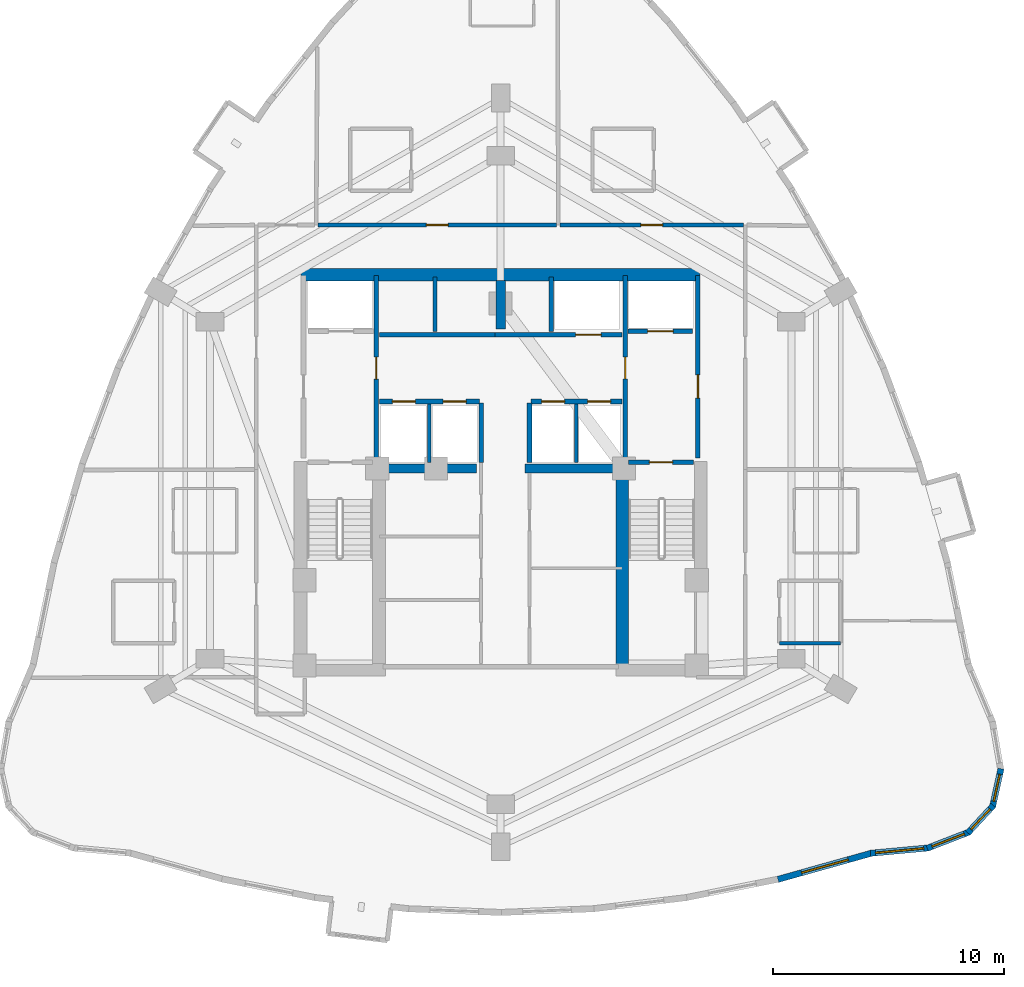
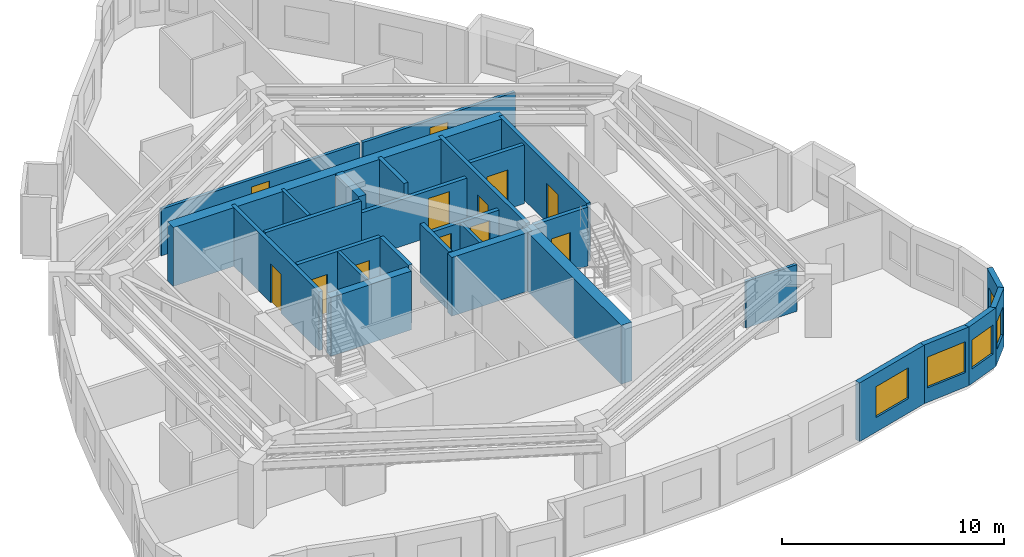
# One storey, part 5 of 9: 28 walls, 12 doors, 5 windows, 17 openings.
"""IFC4 building model written with IfcOpenShell, lengths in metres."""

from ifc_helpers import new_model, si_unit, direction, frame, frame_2d, origin, place, context, subcontext, project, spatial, rectangle, extrude, material, layer, layer_set, type_object, element, fill, save


model = new_model("IFC4")

# Units and contexts
model_context = context("Model", 3, precision=1e-05, world=origin(), true_north=direction((0.0, 1.0)))
body_context = subcontext(model_context, "Body", "Model", "MODEL_VIEW")
ifc_project = project(units=[si_unit("LENGTHUNIT", "METRE"), si_unit("AREAUNIT", "SQUARE_METRE"), si_unit("VOLUMEUNIT", "CUBIC_METRE"), si_unit("PLANEANGLEUNIT", "RADIAN"), si_unit("MASSUNIT", "GRAM", prefix="KILO")], contexts=[model_context])

# Site, building, storey
site_placement = place(None, origin())
site = spatial("IfcSite", under=ifc_project, at=site_placement, CompositionType="ELEMENT")
building_placement = place(site_placement, origin())
building = spatial("IfcBuilding", under=site, at=building_placement, Name="Miruveldt Soraemaru", CompositionType="ELEMENT")
storey_placement = place(building_placement, frame((0.0, 0.0, 138.89990234375)))
storey = spatial("IfcBuildingStorey", under=building, at=storey_placement, Name="L38", CompositionType="ELEMENT", Elevation=138.89990234375)

# Walls
ifc_material_1 = material(Name="Concrete C70/85 (70 MPa)", Category="concrete")
ifc_layer_1 = layer(ifc_material_1, 0.5, Name="Concrete C70/85 (70 MPa)", Category="concrete")
ifc_layer_set_1 = layer_set([ifc_layer_1], Name="Concrete C70/85 (70 MPa)")
wall_type_1 = type_object("IfcWallType", Name="WALL-BW-500", PredefinedType="SHEAR", material=ifc_layer_set_1)
wall_1_placement = place(storey_placement, frame((44.0, 50.10009765625, 0.0), z_axis=(0.0, 0.0, 1.0), x_axis=(0.0, 1.0, 0.0)))
element("IfcWall", 1, at=wall_1_placement, inside=storey, type_object=wall_type_1, Name="L38 Core Buttress Shear Wall BN", PredefinedType="SHEAR", context=body_context, shape_type="SweptSolid", body=[
    extrude(rectangle(XDim=2.099853515625, YDim=0.39990234375, at=frame_2d((1.0498046875, 0.0))), origin(), (0.0, 0.0, 1.0), 3.235107421875),
])
for number, where, z_axis, x_axis, name in (
    (2, (38.75, 44.050048828125, 0.0), (0.0, 0.0, 1.0), (1.0, 0.0, 0.0), "L38 Core Buttress Shear Wall BW"),
    (3, (45.050048828125, 44.050048828125, 0.0), (0.0, 0.0, 1.0), (1.0, 0.0, 0.0), "L38 Core Buttress Shear Wall BE"),
):
    element("IfcWall", number, at=place(storey_placement, frame(where, z_axis=z_axis, x_axis=x_axis)), inside=storey, type_object=wall_type_1, Name=name, PredefinedType="SHEAR", context=body_context, shape_type="SweptSolid", body=[
        extrude(rectangle(XDim=4.199951171875, YDim=0.39990234375, at=frame_2d((2.10009765625, 0.0))), origin(), (0.0, 0.0, 1.0), 3.235107421875),
    ])
ifc_layer_2 = layer(ifc_material_1, 0.550048828125, Name="Concrete C70/85 (70 MPa)", Category="concrete")
ifc_layer_set_2 = layer_set([ifc_layer_2], Name="Concrete C70/85 (70 MPa)")
wall_type_2 = type_object("IfcWallType", Name="WALL-CW-550", PredefinedType="SHEAR", material=ifc_layer_set_2)
wall_2_placement = place(storey_placement, frame((35.35009765625, 52.449951171875, 0.0), z_axis=(0.0, 0.0, 1.0), x_axis=(1.0, 0.0, 0.0)))
element("IfcWall", 4, at=wall_2_placement, inside=storey, type_object=wall_type_2, Name="L38 Central Core Shear Wall N", PredefinedType="SHEAR", context=body_context, shape_type="SweptSolid", body=[
    extrude(rectangle(XDim=17.2998046875, YDim=0.550048828125, at=frame_2d((8.64990234375, 0.0))), origin(), (0.0, 0.0, 1.0), 3.235107421875),
])
wall_3_placement = place(storey_placement, frame((49.27490234375, 35.39990234375, 0.0), z_axis=(0.0, 0.0, 1.0), x_axis=(0.0, 1.0, 0.0)))
element("IfcWall", 5, at=wall_3_placement, inside=storey, type_object=wall_type_2, Name="L38 Central Core Shear Wall SE-INT", PredefinedType="SHEAR", context=body_context, shape_type="SweptSolid", body=[
    extrude(rectangle(XDim=8.9501953125, YDim=0.550048828125, at=frame_2d((4.47509765625, 0.0))), origin(), (0.0, 0.0, 1.0), 3.235107421875),
])

# Wall, opening, window
ifc_material_2 = material(Name="Precast concrete C45/55 (45 MPa)", Category="concrete")
ifc_layer_3 = layer(ifc_material_2, 0.27001953125, Name="Precast concrete C45/55 (45 MPa)", Category="concrete")
ifc_layer_set_3 = layer_set([ifc_layer_3], Name="Precast concrete C45/55 (45 MPa)")
wall_type_3 = type_object("IfcWallType", Name="WALL-EXT-PC270", PredefinedType="SOLIDWALL", material=ifc_layer_set_3)
wall_4_placement = place(storey_placement, frame((56.01611328125, 26.23388671875, 0.0), z_axis=(0.0, 0.0, 1.0), x_axis=(0.962976574029, 0.269585084659, 0.0)))
wall_4 = element("IfcWall", 6, at=wall_4_placement, inside=storey, type_object=wall_type_3, Name="L38 Precast Concrete Facade Wall 28", PredefinedType="SOLIDWALL", context=body_context, shape_type="SweptSolid", body=[
    extrude(rectangle(XDim=4.240966796875, YDim=0.27001953125, at=frame_2d((2.12060546875, 0.0))), origin(), (0.0, 0.0, 1.0), 3.235107421875),
])
opening_1_placement = place(wall_4_placement, frame((1.070068359375, 0.0, 0.800048828125)))
opening_1 = element("IfcOpeningElement", 7, at=opening_1_placement, cuts=wall_4, Name="Opening WN-1", PredefinedType="OPENING", context=body_context, shape_type="SweptSolid", body=[
    extrude(rectangle(XDim=2.10009765625, YDim=1.699951171875, at=frame_2d((1.050048828125, 0.85009765625))), frame((0.0, 0.14501953125, 0.0), z_axis=(0.0, -1.0, 0.0), x_axis=(1.0, 0.0, 0.0)), (0.0, 0.0, 1.0), 0.2900390625),
])
ifc_material_3 = material(Name="Triple low-e insulated glazing", Category="glass")
window_type_1 = type_object("IfcWindowType", Name="WIN-PUNCH-2100x1700", PartitioningType="SINGLE_PANEL", PredefinedType="WINDOW", material=ifc_material_3)
window_1_placement = place(opening_1_placement, origin())
window_1 = element("IfcWindow", 8, at=window_1_placement, inside=storey, type_object=window_type_1, Name="L38 Punched Triple-Glazed Window 28.1", OverallHeight=1.699951171875, OverallWidth=2.10009765625, PartitioningType="SINGLE_PANEL", PredefinedType="WINDOW", context=body_context, shape_type="SweptSolid", body=[
    extrude(rectangle(XDim=2.10009765625, YDim=1.699951171875, at=frame_2d((1.050048828125, 0.85009765625))), frame((0.0, 0.030029296875, 0.0), z_axis=(0.0, -1.0, 0.0), x_axis=(1.0, 0.0, 0.0)), (0.0, 0.0, 1.0), 0.06005859375),
])
fill(opening_1, window_1)

wall_5_placement = place(storey_placement, frame((60.031494140625, 27.364501953125, 0.0), z_axis=(0.0, 0.0, 1.0), x_axis=(0.995754739811, 0.092046173976, 0.0)))
wall_5 = element("IfcWall", 9, at=wall_5_placement, inside=storey, type_object=wall_type_3, Name="L38 Precast Concrete Facade Wall 29", PredefinedType="SOLIDWALL", context=body_context, shape_type="SweptSolid", body=[
    extrude(rectangle(XDim=2.53564453125, YDim=0.27001953125, at=frame_2d((1.267822265625, 0.0))), origin(), (0.0, 0.0, 1.0), 3.235107421875),
])
opening_2_placement = place(wall_5_placement, frame((0.218017578125, 0.0, 0.800048828125)))
opening_2 = element("IfcOpeningElement", 10, at=opening_2_placement, cuts=wall_5, Name="Opening WN-1", PredefinedType="OPENING", context=body_context, shape_type="SweptSolid", body=[
    extrude(rectangle(XDim=2.10009765625, YDim=1.699951171875, at=frame_2d((1.050048828125, 0.85009765625))), frame((0.0, 0.14501953125, 0.0), z_axis=(0.0, -1.0, 0.0), x_axis=(1.0, 0.0, 0.0)), (0.0, 0.0, 1.0), 0.2900390625),
])
window_2_placement = place(opening_2_placement, origin())
window_2 = element("IfcWindow", 11, at=window_2_placement, inside=storey, type_object=window_type_1, Name="L38 Punched Triple-Glazed Window 29.1", OverallHeight=1.699951171875, OverallWidth=2.10009765625, PartitioningType="SINGLE_PANEL", PredefinedType="WINDOW", context=body_context, shape_type="SweptSolid", body=[
    extrude(rectangle(XDim=2.10009765625, YDim=1.699951171875, at=frame_2d((1.050048828125, 0.85009765625))), frame((0.0, 0.030029296875, 0.0), z_axis=(0.0, -1.0, 0.0), x_axis=(1.0, 0.0, 0.0)), (0.0, 0.0, 1.0), 0.06005859375),
])
fill(opening_2, window_2)

wall_6_placement = place(storey_placement, frame((62.489013671875, 27.581787109375, 0.0), z_axis=(0.0, 0.0, 1.0), x_axis=(0.932267447774, 0.361769824364, 0.0)))
wall_6 = element("IfcWall", 12, at=wall_6_placement, inside=storey, type_object=wall_type_3, Name="L38 Precast Concrete Facade Wall 30", PredefinedType="SOLIDWALL", context=body_context, shape_type="SweptSolid", body=[
    extrude(rectangle(XDim=1.950927734375, YDim=0.27001953125, at=frame_2d((0.9755859375, 0.0))), origin(), (0.0, 0.0, 1.0), 3.235107421875),
])
opening_3_placement = place(wall_6_placement, frame((0.22509765625, 0.0, 0.800048828125)))
opening_3 = element("IfcOpeningElement", 13, at=opening_3_placement, cuts=wall_6, Name="Opening WN-3", PredefinedType="OPENING", context=body_context, shape_type="SweptSolid", body=[
    extrude(rectangle(XDim=1.5, YDim=1.60009765625, at=frame_2d((0.75, 0.800048828125))), frame((0.0, 0.14501953125, 0.0), z_axis=(0.0, -1.0, 0.0), x_axis=(1.0, 0.0, 0.0)), (0.0, 0.0, 1.0), 0.2900390625),
])
window_type_2 = type_object("IfcWindowType", Name="WIN-PUNCH-1500x1600", PartitioningType="SINGLE_PANEL", PredefinedType="WINDOW", material=ifc_material_3)
window_3_placement = place(opening_3_placement, origin())
window_3 = element("IfcWindow", 14, at=window_3_placement, inside=storey, type_object=window_type_2, Name="L38 Punched Triple-Glazed Window 30.1", OverallHeight=1.60009765625, OverallWidth=1.5, PartitioningType="SINGLE_PANEL", PredefinedType="WINDOW", context=body_context, shape_type="SweptSolid", body=[
    extrude(rectangle(XDim=1.5, YDim=1.60009765625, at=frame_2d((0.75, 0.800048828125))), frame((0.0, 0.030029296875, 0.0), z_axis=(0.0, -1.0, 0.0), x_axis=(1.0, 0.0, 0.0)), (0.0, 0.0, 1.0), 0.06005859375),
])
fill(opening_3, window_3)

wall_7_placement = place(storey_placement, frame((64.25146484375, 28.249267578125, 0.0), z_axis=(0.0, 0.0, 1.0), x_axis=(0.680115173662, 0.733105279312, 0.0)))
wall_7 = element("IfcWall", 15, at=wall_7_placement, inside=storey, type_object=wall_type_3, Name="L38 Precast Concrete Facade Wall 31", PredefinedType="SOLIDWALL", context=body_context, shape_type="SweptSolid", body=[
    extrude(rectangle(XDim=1.6171875, YDim=0.27001953125, at=frame_2d((0.80859375, 0.0))), origin(), (0.0, 0.0, 1.0), 3.235107421875),
])
opening_4_placement = place(wall_7_placement, frame((0.208984375, 0.0, 0.780029296875)))
opening_4 = element("IfcOpeningElement", 16, at=opening_4_placement, cuts=wall_7, Name="Opening WN-4", PredefinedType="OPENING", context=body_context, shape_type="SweptSolid", body=[
    extrude(rectangle(XDim=1.199951171875, YDim=1.550048828125, at=frame_2d((0.60009765625, 0.77490234375))), frame((0.0, 0.14501953125, 0.0), z_axis=(0.0, -1.0, 0.0), x_axis=(1.0, 0.0, 0.0)), (0.0, 0.0, 1.0), 0.2900390625),
])
window_type_3 = type_object("IfcWindowType", Name="WIN-PUNCH-1200x1550", PartitioningType="SINGLE_PANEL", PredefinedType="WINDOW", material=ifc_material_3)
window_4_placement = place(opening_4_placement, origin())
window_4 = element("IfcWindow", 17, at=window_4_placement, inside=storey, type_object=window_type_3, Name="L38 Punched Triple-Glazed Window 31.1", OverallHeight=1.550048828125, OverallWidth=1.199951171875, PartitioningType="SINGLE_PANEL", PredefinedType="WINDOW", context=body_context, shape_type="SweptSolid", body=[
    extrude(rectangle(XDim=1.199951171875, YDim=1.550048828125, at=frame_2d((0.60009765625, 0.77490234375))), frame((0.0, 0.030029296875, 0.0), z_axis=(0.0, -1.0, 0.0), x_axis=(1.0, 0.0, 0.0)), (0.0, 0.0, 1.0), 0.06005859375),
])
fill(opening_4, window_4)

wall_8_placement = place(storey_placement, frame((65.31982421875, 29.374755859375, 0.0), z_axis=(0.0, 0.0, 1.0), x_axis=(0.215649887065, 0.976470750309, 0.0)))
wall_8 = element("IfcWall", 18, at=wall_8_placement, inside=storey, type_object=wall_type_3, Name="L38 Precast Concrete Facade Wall 32", PredefinedType="SOLIDWALL", context=body_context, shape_type="SweptSolid", body=[
    extrude(rectangle(XDim=1.69580078125, YDim=0.27001953125, at=frame_2d((0.847900390625, 0.0))), origin(), (0.0, 0.0, 1.0), 3.235107421875),
])
opening_5_placement = place(wall_8_placement, frame((0.248046875, 0.0, 0.780029296875)))
opening_5 = element("IfcOpeningElement", 19, at=opening_5_placement, cuts=wall_8, Name="Opening WN-4", PredefinedType="OPENING", context=body_context, shape_type="SweptSolid", body=[
    extrude(rectangle(XDim=1.199951171875, YDim=1.550048828125, at=frame_2d((0.60009765625, 0.77490234375))), frame((0.0, 0.14501953125, 0.0), z_axis=(0.0, -1.0, 0.0), x_axis=(1.0, 0.0, 0.0)), (0.0, 0.0, 1.0), 0.2900390625),
])
window_5_placement = place(opening_5_placement, origin())
window_5 = element("IfcWindow", 20, at=window_5_placement, inside=storey, type_object=window_type_3, Name="L38 Punched Triple-Glazed Window 32.1", OverallHeight=1.550048828125, OverallWidth=1.199951171875, PartitioningType="SINGLE_PANEL", PredefinedType="WINDOW", context=body_context, shape_type="SweptSolid", body=[
    extrude(rectangle(XDim=1.199951171875, YDim=1.550048828125, at=frame_2d((0.60009765625, 0.77490234375))), frame((0.0, 0.030029296875, 0.0), z_axis=(0.0, -1.0, 0.0), x_axis=(1.0, 0.0, 0.0)), (0.0, 0.0, 1.0), 0.06005859375),
])
fill(opening_5, window_5)

# Wall
ifc_material_4 = material(Name="Gypsum plasterboard lining", Category="gypsum")
ifc_layer_4 = layer(ifc_material_4, 0.14990234375, Name="Gypsum plasterboard lining", Category="gypsum")
ifc_layer_set_4 = layer_set([ifc_layer_4], Name="Gypsum plasterboard lining")
wall_type_4 = type_object("IfcWallType", Name="WALL-INT-PLUMB", PredefinedType="PLUMBINGWALL", material=ifc_layer_set_4)
wall_9_placement = place(storey_placement, frame((56.080078125, 36.47998046875, 0.0), z_axis=(0.0, 0.0, 1.0), x_axis=(1.0, 0.0, 0.0)))
element("IfcWall", 21, at=wall_9_placement, inside=storey, type_object=wall_type_4, Name="L38 Partition Wall 43", PredefinedType="PLUMBINGWALL", context=body_context, shape_type="SweptSolid", body=[
    extrude(rectangle(XDim=2.64990234375, YDim=0.14990234375, at=frame_2d((1.324951171875, 0.0))), origin(), (0.0, 0.0, 1.0), 2.572998046875),
])

# Wall, opening, door
ifc_material_5 = material(Name="Concrete C40/50 (40 MPa)", Category="concrete")
ifc_layer_5 = layer(ifc_material_5, 0.159912109375, Name="Concrete C40/50 (40 MPa)", Category="concrete")
ifc_layer_set_5 = layer_set([ifc_layer_5], Name="Concrete C40/50 (40 MPa)")
wall_type_5 = type_object("IfcWallType", Name="WALL-INT-RC160", PredefinedType="SOLIDWALL", material=ifc_layer_set_5)
wall_10_placement = place(storey_placement, frame((46.419921875, 54.60009765625, 0.0), z_axis=(0.0, 0.0, 1.0), x_axis=(-1.0, 0.0, 0.0)))
wall_10 = element("IfcWall", 22, at=wall_10_placement, inside=storey, type_object=wall_type_5, Name="L38 Partition Wall 2", PredefinedType="SOLIDWALL", context=body_context, shape_type="SweptSolid", body=[
    extrude(rectangle(XDim=10.33984375, YDim=0.159912109375, at=frame_2d((5.169921875, 0.0))), origin(), (0.0, 0.0, 1.0), 2.572998046875),
])
opening_6_placement = place(wall_10_placement, frame((4.695068359375, 0.0, 0.0)))
opening_6 = element("IfcOpeningElement", 23, at=opening_6_placement, cuts=wall_10, Name="Opening FD2", PredefinedType="OPENING", context=body_context, shape_type="SweptSolid", body=[
    extrude(rectangle(XDim=0.949951171875, YDim=2.14990234375, at=frame_2d((0.47509765625, 1.074951171875))), frame((0.0, 0.08984375, 0.0), z_axis=(0.0, -1.0, 0.0), x_axis=(1.0, 0.0, 0.0)), (0.0, 0.0, 1.0), 0.179931640625),
])
ifc_material_6 = material(Name="Anodised aluminium EN AW-6063 T6", Category="aluminium")
door_type_1 = type_object("IfcDoorType", Name="DOOR-FD2-950", OperationType="NOTDEFINED", PredefinedType="DOOR", material=ifc_material_6)
door_1_placement = place(opening_6_placement, origin())
door_1 = element("IfcDoor", 24, at=door_1_placement, inside=storey, type_object=door_type_1, Name="L38 Unit CL02 Entrance Fire Door", OperationType="SINGLE_SWING_RIGHT", OverallHeight=2.14990234375, OverallWidth=0.949951171875, PredefinedType="DOOR", context=body_context, shape_type="SweptSolid", body=[
    extrude(rectangle(XDim=0.949951171875, YDim=2.14990234375, at=frame_2d((0.47509765625, 1.074951171875))), frame((0.0, 0.02490234375, 0.0), z_axis=(0.0, -1.0, 0.0), x_axis=(1.0, 0.0, 0.0)), (0.0, 0.0, 1.0), 0.050048828125),
])
fill(opening_6, door_1)

wall_11_placement = place(storey_placement, frame((54.52001953125, 54.60009765625, 0.0), z_axis=(0.0, 0.0, 1.0), x_axis=(-1.0, 0.0, 0.0)))
wall_11 = element("IfcWall", 25, at=wall_11_placement, inside=storey, type_object=wall_type_5, Name="L38 Partition Wall 3", PredefinedType="SOLIDWALL", context=body_context, shape_type="SweptSolid", body=[
    extrude(rectangle(XDim=7.93994140625, YDim=0.159912109375, at=frame_2d((3.969970703125, 0.0))), origin(), (0.0, 0.0, 1.0), 2.572998046875),
])
opening_7_placement = place(wall_11_placement, frame((3.4951171875, 0.0, 0.0)))
opening_7 = element("IfcOpeningElement", 26, at=opening_7_placement, cuts=wall_11, Name="Opening FD2", PredefinedType="OPENING", context=body_context, shape_type="SweptSolid", body=[
    extrude(rectangle(XDim=0.949951171875, YDim=2.14990234375, at=frame_2d((0.47509765625, 1.074951171875))), frame((0.0, 0.08984375, 0.0), z_axis=(0.0, -1.0, 0.0), x_axis=(1.0, 0.0, 0.0)), (0.0, 0.0, 1.0), 0.179931640625),
])
door_2_placement = place(opening_7_placement, origin())
door_2 = element("IfcDoor", 27, at=door_2_placement, inside=storey, type_object=door_type_1, Name="L38 Unit CL03 Entrance Fire Door", OperationType="SINGLE_SWING_LEFT", OverallHeight=2.14990234375, OverallWidth=0.949951171875, PredefinedType="DOOR", context=body_context, shape_type="SweptSolid", body=[
    extrude(rectangle(XDim=0.949951171875, YDim=2.14990234375, at=frame_2d((0.47509765625, 1.074951171875))), frame((0.0, 0.02490234375, 0.0), z_axis=(0.0, -1.0, 0.0), x_axis=(1.0, 0.0, 0.0)), (0.0, 0.0, 1.0), 0.050048828125),
])
fill(opening_7, door_2)

# Walls
wall_12_placement = place(storey_placement, frame((40.89990234375, 44.300048828125, 0.0), z_axis=(0.0, 0.0, 1.0), x_axis=(0.0, 1.0, 0.0)))
element("IfcWall", 28, at=wall_12_placement, inside=storey, type_object=wall_type_5, Name="L38 Core Compartment Wall PLM-DW", PredefinedType="SOLIDWALL", context=body_context, shape_type="SweptSolid", body=[
    extrude(rectangle(XDim=2.550048828125, YDim=0.159912109375, at=frame_2d((1.27490234375, 0.0))), origin(), (0.0, 0.0, 1.0), 3.235107421875),
])
wall_13_placement = place(storey_placement, frame((47.280029296875, 44.300048828125, 0.0), z_axis=(0.0, 0.0, 1.0), x_axis=(0.0, 1.0, 0.0)))
element("IfcWall", 29, at=wall_13_placement, inside=storey, type_object=wall_type_5, Name="L38 Core Compartment Wall PLM-DE", PredefinedType="SOLIDWALL", context=body_context, shape_type="SweptSolid", body=[
    extrude(rectangle(XDim=2.550048828125, YDim=0.159912109375, at=frame_2d((1.27490234375, 0.0))), origin(), (0.0, 0.0, 1.0), 2.572998046875),
])
wall_14_placement = place(storey_placement, frame((41.14990234375, 49.97998046875, 0.0), z_axis=(0.0, 0.0, 1.0), x_axis=(0.0, 1.0, 0.0)))
element("IfcWall", 30, at=wall_14_placement, inside=storey, type_object=wall_type_5, Name="L38 Core Compartment Wall PLH-DIV1", PredefinedType="SOLIDWALL", context=body_context, shape_type="SweptSolid", body=[
    extrude(rectangle(XDim=2.3701171875, YDim=0.159912109375, at=frame_2d((1.18505859375, 0.0))), origin(), (0.0, 0.0, 1.0), 3.235107421875),
])

# Wall, opening, door
ifc_layer_6 = layer(ifc_material_5, 0.199951171875, Name="Concrete C40/50 (40 MPa)", Category="concrete")
ifc_layer_set_6 = layer_set([ifc_layer_6], Name="Concrete C40/50 (40 MPa)")
wall_type_6 = type_object("IfcWallType", Name="WALL-INT-RC200", PredefinedType="SOLIDWALL", material=ifc_layer_set_6)
wall_15_placement = place(storey_placement, frame((52.550048828125, 44.5, 0.0), z_axis=(0.0, 0.0, 1.0), x_axis=(0.0, 1.0, 0.0)))
wall_15 = element("IfcWall", 31, at=wall_15_placement, inside=storey, type_object=wall_type_6, Name="L38 Core Compartment Wall FFE-OUT", PredefinedType="SOLIDWALL", context=body_context, shape_type="SweptSolid", body=[
    extrude(rectangle(XDim=7.919921875, YDim=0.199951171875, at=frame_2d((3.9599609375, 0.0))), origin(), (0.0, 0.0, 1.0), 3.235107421875),
])
opening_8_placement = place(wall_15_placement, frame((2.60009765625, 0.0, 0.0)))
opening_8 = element("IfcOpeningElement", 32, at=opening_8_placement, cuts=wall_15, Name="Opening FD1", PredefinedType="OPENING", context=body_context, shape_type="SweptSolid", body=[
    extrude(rectangle(XDim=1.0, YDim=2.14990234375, at=frame_2d((0.5, 1.074951171875))), frame((0.0, 0.10986328125, 0.0), z_axis=(0.0, -1.0, 0.0), x_axis=(1.0, 0.0, 0.0)), (0.0, 0.0, 1.0), 0.219970703125),
])
door_type_2 = type_object("IfcDoorType", Name="DOOR-FD1-1000", OperationType="NOTDEFINED", PredefinedType="DOOR", material=ifc_material_6)
door_3_placement = place(opening_8_placement, frame((1.0, 0.0, 0.0), z_axis=(0.0, 0.0, 1.0), x_axis=(-1.0, 0.0, 0.0)))
door_3 = element("IfcDoor", 33, at=door_3_placement, inside=storey, type_object=door_type_2, Name="L38 East Firefighting Lobby Exit Door", OperationType="SINGLE_SWING_RIGHT", OverallHeight=2.14990234375, OverallWidth=1.0, PredefinedType="DOOR", context=body_context, shape_type="SweptSolid", body=[
    extrude(rectangle(XDim=1.0, YDim=2.14990234375, at=frame_2d((0.5, 1.074951171875))), frame((0.0, 0.02490234375, 0.0), z_axis=(0.0, -1.0, 0.0), x_axis=(1.0, 0.0, 0.0)), (0.0, 0.0, 1.0), 0.050048828125),
])
fill(opening_8, door_3)

wall_16_placement = place(storey_placement, frame((38.60009765625, 44.5, 0.0), z_axis=(0.0, 0.0, 1.0), x_axis=(0.0, 1.0, 0.0)))
wall_16 = element("IfcWall", 34, at=wall_16_placement, inside=storey, type_object=wall_type_6, Name="L38 Core Compartment Wall FFW-IN", PredefinedType="SOLIDWALL", context=body_context, shape_type="SweptSolid", body=[
    extrude(rectangle(XDim=7.919921875, YDim=0.199951171875, at=frame_2d((3.9599609375, 0.0))), origin(), (0.0, 0.0, 1.0), 3.235107421875),
])
opening_9_placement = place(wall_16_placement, frame((3.425048828125, 0.0, 0.0)))
opening_9 = element("IfcOpeningElement", 35, at=opening_9_placement, cuts=wall_16, Name="Opening FD2", PredefinedType="OPENING", context=body_context, shape_type="SweptSolid", body=[
    extrude(rectangle(XDim=0.949951171875, YDim=2.14990234375, at=frame_2d((0.47509765625, 1.074951171875))), frame((0.0, 0.10986328125, 0.0), z_axis=(0.0, -1.0, 0.0), x_axis=(1.0, 0.0, 0.0)), (0.0, 0.0, 1.0), 0.219970703125),
])
door_4_placement = place(opening_9_placement, frame((0.949951171875, 0.0, 0.0), z_axis=(0.0, 0.0, 1.0), x_axis=(-1.0, 0.0, 0.0)))
door_4 = element("IfcDoor", 36, at=door_4_placement, inside=storey, type_object=door_type_1, Name="L38 Lift Lobby to West Fire Lobby Door", OperationType="SINGLE_SWING_RIGHT", OverallHeight=2.14990234375, OverallWidth=0.949951171875, PredefinedType="DOOR", context=body_context, shape_type="SweptSolid", body=[
    extrude(rectangle(XDim=0.949951171875, YDim=2.14990234375, at=frame_2d((0.47509765625, 1.074951171875))), frame((0.0, 0.02490234375, 0.0), z_axis=(0.0, -1.0, 0.0), x_axis=(1.0, 0.0, 0.0)), (0.0, 0.0, 1.0), 0.050048828125),
])
fill(opening_9, door_4)

wall_17_placement = place(storey_placement, frame((49.39990234375, 44.5, 0.0), z_axis=(0.0, 0.0, 1.0), x_axis=(0.0, 1.0, 0.0)))
wall_17 = element("IfcWall", 37, at=wall_17_placement, inside=storey, type_object=wall_type_6, Name="L38 Core Compartment Wall FFE-IN", PredefinedType="SOLIDWALL", context=body_context, shape_type="SweptSolid", body=[
    extrude(rectangle(XDim=7.919921875, YDim=0.199951171875, at=frame_2d((3.9599609375, 0.0))), origin(), (0.0, 0.0, 1.0), 3.235107421875),
])
opening_10_placement = place(wall_17_placement, frame((3.425048828125, 0.0, 0.0)))
opening_10 = element("IfcOpeningElement", 38, at=opening_10_placement, cuts=wall_17, Name="Opening FD2", PredefinedType="OPENING", context=body_context, shape_type="SweptSolid", body=[
    extrude(rectangle(XDim=0.949951171875, YDim=2.14990234375, at=frame_2d((0.47509765625, 1.074951171875))), frame((0.0, 0.10986328125, 0.0), z_axis=(0.0, -1.0, 0.0), x_axis=(1.0, 0.0, 0.0)), (0.0, 0.0, 1.0), 0.219970703125),
])
door_5_placement = place(opening_10_placement, origin())
door_5 = element("IfcDoor", 39, at=door_5_placement, inside=storey, type_object=door_type_1, Name="L38 Lift Lobby to East Fire Lobby Door", OperationType="SINGLE_SWING_LEFT", OverallHeight=2.14990234375, OverallWidth=0.949951171875, PredefinedType="DOOR", context=body_context, shape_type="SweptSolid", body=[
    extrude(rectangle(XDim=0.949951171875, YDim=2.14990234375, at=frame_2d((0.47509765625, 1.074951171875))), frame((0.0, 0.02490234375, 0.0), z_axis=(0.0, -1.0, 0.0), x_axis=(1.0, 0.0, 0.0)), (0.0, 0.0, 1.0), 0.050048828125),
])
fill(opening_10, door_5)

wall_18_placement = place(storey_placement, frame((43.75, 49.85009765625, 0.0), z_axis=(0.0, 0.0, 1.0), x_axis=(1.0, 0.0, 0.0)))
wall_18 = element("IfcWall", 40, at=wall_18_placement, inside=storey, type_object=wall_type_6, Name="L38 Core Compartment Wall ROWA-SE", PredefinedType="SOLIDWALL", context=body_context, shape_type="SweptSolid", body=[
    extrude(rectangle(XDim=5.5, YDim=0.199951171875, at=frame_2d((2.75, 0.0))), origin(), (0.0, 0.0, 1.0), 2.572998046875),
])
opening_11_placement = place(wall_18_placement, frame((3.5, 0.0, 0.0)))
opening_11 = element("IfcOpeningElement", 41, at=opening_11_placement, cuts=wall_18, Name="Opening LD2", PredefinedType="OPENING", context=body_context, shape_type="SweptSolid", body=[
    extrude(rectangle(XDim=1.10009765625, YDim=2.14990234375, at=frame_2d((0.550048828125, 1.074951171875))), frame((0.0, 0.10986328125, 0.0), z_axis=(0.0, -1.0, 0.0), x_axis=(1.0, 0.0, 0.0)), (0.0, 0.0, 1.0), 0.219970703125),
])
door_type_3 = type_object("IfcDoorType", Name="DOOR-LD2-1100", OperationType="SLIDING_TO_LEFT", PredefinedType="DOOR", material=ifc_material_6)
door_6_placement = place(opening_11_placement, origin())
door_6 = element("IfcDoor", 42, at=door_6_placement, inside=storey, type_object=door_type_3, Name="L38 SL-1 Landing Door", OperationType="SLIDING_TO_LEFT", OverallHeight=2.14990234375, OverallWidth=1.10009765625, PredefinedType="DOOR", context=body_context, shape_type="SweptSolid", body=[
    extrude(rectangle(XDim=1.10009765625, YDim=2.14990234375, at=frame_2d((0.550048828125, 1.074951171875))), frame((0.0, 0.02490234375, 0.0), z_axis=(0.0, -1.0, 0.0), x_axis=(1.0, 0.0, 0.0)), (0.0, 0.0, 1.0), 0.050048828125),
])
fill(opening_11, door_6)

# Wall, openings, doors
wall_19_placement = place(storey_placement, frame((38.75, 46.949951171875, 0.0), z_axis=(0.0, 0.0, 1.0), x_axis=(1.0, 0.0, 0.0)))
wall_19 = element("IfcWall", 43, at=wall_19_placement, inside=storey, type_object=wall_type_6, Name="L38 Core Compartment Wall MBW-N", PredefinedType="SOLIDWALL", context=body_context, shape_type="SweptSolid", body=[
    extrude(rectangle(XDim=4.330078125, YDim=0.199951171875, at=frame_2d((2.1650390625, 0.0))), origin(), (0.0, 0.0, 1.0), 3.235107421875),
])
opening_12_placement = place(wall_19_placement, frame((0.550048828125, 0.0, 0.0)))
opening_12 = element("IfcOpeningElement", 44, at=opening_12_placement, cuts=wall_19, Name="Opening LD1B", PredefinedType="OPENING", context=body_context, shape_type="SweptSolid", body=[
    extrude(rectangle(XDim=1.0, YDim=2.14990234375, at=frame_2d((0.5, 1.074951171875))), frame((0.0, 0.10986328125, 0.0), z_axis=(0.0, -1.0, 0.0), x_axis=(1.0, 0.0, 0.0)), (0.0, 0.0, 1.0), 0.219970703125),
])
opening_13_placement = place(wall_19_placement, frame((2.75, 0.0, 0.0)))
opening_13 = element("IfcOpeningElement", 45, at=opening_13_placement, cuts=wall_19, Name="Opening LD1B", PredefinedType="OPENING", context=body_context, shape_type="SweptSolid", body=[
    extrude(rectangle(XDim=1.0, YDim=2.14990234375, at=frame_2d((0.5, 1.074951171875))), frame((0.0, 0.10986328125, 0.0), z_axis=(0.0, -1.0, 0.0), x_axis=(1.0, 0.0, 0.0)), (0.0, 0.0, 1.0), 0.219970703125),
])
door_type_4 = type_object("IfcDoorType", Name="DOOR-LD1-1000", OperationType="SLIDING_TO_LEFT", PredefinedType="DOOR", material=ifc_material_6)
door_7_placement = place(opening_12_placement, origin())
door_7 = element("IfcDoor", 46, at=door_7_placement, inside=storey, type_object=door_type_4, Name="L38 PL-M1 Landing Door", OperationType="SLIDING_TO_LEFT", OverallHeight=2.14990234375, OverallWidth=1.0, PredefinedType="DOOR", context=body_context, shape_type="SweptSolid", body=[
    extrude(rectangle(XDim=1.0, YDim=2.14990234375, at=frame_2d((0.5, 1.074951171875))), frame((0.0, 0.02490234375, 0.0), z_axis=(0.0, -1.0, 0.0), x_axis=(1.0, 0.0, 0.0)), (0.0, 0.0, 1.0), 0.050048828125),
])
fill(opening_12, door_7)
door_8_placement = place(opening_13_placement, origin())
door_8 = element("IfcDoor", 47, at=door_8_placement, inside=storey, type_object=door_type_4, Name="L38 PL-M2 Landing Door", OperationType="SLIDING_TO_LEFT", OverallHeight=2.14990234375, OverallWidth=1.0, PredefinedType="DOOR", context=body_context, shape_type="SweptSolid", body=[
    extrude(rectangle(XDim=1.0, YDim=2.14990234375, at=frame_2d((0.5, 1.074951171875))), frame((0.0, 0.02490234375, 0.0), z_axis=(0.0, -1.0, 0.0), x_axis=(1.0, 0.0, 0.0)), (0.0, 0.0, 1.0), 0.050048828125),
])
fill(opening_13, door_8)

wall_20_placement = place(storey_placement, frame((45.320068359375, 46.949951171875, 0.0), z_axis=(0.0, 0.0, 1.0), x_axis=(1.0, 0.0, 0.0)))
wall_20 = element("IfcWall", 48, at=wall_20_placement, inside=storey, type_object=wall_type_6, Name="L38 Core Compartment Wall MBE-N", PredefinedType="SOLIDWALL", context=body_context, shape_type="SweptSolid", body=[
    extrude(rectangle(XDim=3.929931640625, YDim=0.199951171875, at=frame_2d((1.96484375, 0.0))), origin(), (0.0, 0.0, 1.0), 2.572998046875),
])
opening_14_placement = place(wall_20_placement, frame((0.449951171875, 0.0, 0.0)))
opening_14 = element("IfcOpeningElement", 49, at=opening_14_placement, cuts=wall_20, Name="Opening LD1B", PredefinedType="OPENING", context=body_context, shape_type="SweptSolid", body=[
    extrude(rectangle(XDim=1.0, YDim=2.14990234375, at=frame_2d((0.5, 1.074951171875))), frame((0.0, 0.10986328125, 0.0), z_axis=(0.0, -1.0, 0.0), x_axis=(1.0, 0.0, 0.0)), (0.0, 0.0, 1.0), 0.219970703125),
])
opening_15_placement = place(wall_20_placement, frame((2.449951171875, 0.0, 0.0)))
opening_15 = element("IfcOpeningElement", 50, at=opening_15_placement, cuts=wall_20, Name="Opening LD1B", PredefinedType="OPENING", context=body_context, shape_type="SweptSolid", body=[
    extrude(rectangle(XDim=1.0, YDim=2.14990234375, at=frame_2d((0.5, 1.074951171875))), frame((0.0, 0.10986328125, 0.0), z_axis=(0.0, -1.0, 0.0), x_axis=(1.0, 0.0, 0.0)), (0.0, 0.0, 1.0), 0.219970703125),
])
door_9_placement = place(opening_14_placement, origin())
door_9 = element("IfcDoor", 51, at=door_9_placement, inside=storey, type_object=door_type_4, Name="L38 PL-M3 Landing Door", OperationType="SLIDING_TO_LEFT", OverallHeight=2.14990234375, OverallWidth=1.0, PredefinedType="DOOR", context=body_context, shape_type="SweptSolid", body=[
    extrude(rectangle(XDim=1.0, YDim=2.14990234375, at=frame_2d((0.5, 1.074951171875))), frame((0.0, 0.02490234375, 0.0), z_axis=(0.0, -1.0, 0.0), x_axis=(1.0, 0.0, 0.0)), (0.0, 0.0, 1.0), 0.050048828125),
])
fill(opening_14, door_9)
door_10_placement = place(opening_15_placement, origin())
door_10 = element("IfcDoor", 52, at=door_10_placement, inside=storey, type_object=door_type_4, Name="L38 PL-M4 Landing Door", OperationType="SLIDING_TO_LEFT", OverallHeight=2.14990234375, OverallWidth=1.0, PredefinedType="DOOR", context=body_context, shape_type="SweptSolid", body=[
    extrude(rectangle(XDim=1.0, YDim=2.14990234375, at=frame_2d((0.5, 1.074951171875))), frame((0.0, 0.02490234375, 0.0), z_axis=(0.0, -1.0, 0.0), x_axis=(1.0, 0.0, 0.0)), (0.0, 0.0, 1.0), 0.050048828125),
])
fill(opening_15, door_10)

# Wall, opening, door
wall_21_placement = place(storey_placement, frame((49.550048828125, 44.320068359375, 0.0), z_axis=(0.0, 0.0, 1.0), x_axis=(1.0, 0.0, 0.0)))
wall_21 = element("IfcWall", 53, at=wall_21_placement, inside=storey, type_object=wall_type_6, Name="L38 Core Compartment Wall ST2-N", PredefinedType="SOLIDWALL", context=body_context, shape_type="SweptSolid", body=[
    extrude(rectangle(XDim=2.800048828125, YDim=0.199951171875, at=frame_2d((1.39990234375, 0.0))), origin(), (0.0, 0.0, 1.0), 3.235107421875),
])
opening_16_placement = place(wall_21_placement, frame((0.89990234375, 0.0, 0.0)))
opening_16 = element("IfcOpeningElement", 54, at=opening_16_placement, cuts=wall_21, Name="Opening FD1", PredefinedType="OPENING", context=body_context, shape_type="SweptSolid", body=[
    extrude(rectangle(XDim=1.0, YDim=2.14990234375, at=frame_2d((0.5, 1.074951171875))), frame((0.0, 0.10986328125, 0.0), z_axis=(0.0, -1.0, 0.0), x_axis=(1.0, 0.0, 0.0)), (0.0, 0.0, 1.0), 0.219970703125),
])
door_11_placement = place(opening_16_placement, frame((1.0, 0.0, 0.0), z_axis=(0.0, 0.0, 1.0), x_axis=(-1.0, 0.0, 0.0)))
door_11 = element("IfcDoor", 55, at=door_11_placement, inside=storey, type_object=door_type_2, Name="L38 Stair ST-2 Fire Door", OperationType="SINGLE_SWING_RIGHT", OverallHeight=2.14990234375, OverallWidth=1.0, PredefinedType="DOOR", context=body_context, shape_type="SweptSolid", body=[
    extrude(rectangle(XDim=1.0, YDim=2.14990234375, at=frame_2d((0.5, 1.074951171875))), frame((0.0, 0.02490234375, 0.0), z_axis=(0.0, -1.0, 0.0), x_axis=(1.0, 0.0, 0.0)), (0.0, 0.0, 1.0), 0.050048828125),
])
fill(opening_16, door_11)

wall_22_placement = place(storey_placement, frame((49.52001953125, 50.0, 0.0), z_axis=(0.0, 0.0, 1.0), x_axis=(1.0, 0.0, 0.0)))
wall_22 = element("IfcWall", 56, at=wall_22_placement, inside=storey, type_object=wall_type_6, Name="L38 Core Compartment Wall FFL2-S", PredefinedType="SOLIDWALL", context=body_context, shape_type="SweptSolid", body=[
    extrude(rectangle(XDim=2.800048828125, YDim=0.199951171875, at=frame_2d((1.39990234375, 0.0))), origin(), (0.0, 0.0, 1.0), 3.235107421875),
])
opening_17_placement = place(wall_22_placement, frame((0.85009765625, 0.0, 0.0)))
opening_17 = element("IfcOpeningElement", 57, at=opening_17_placement, cuts=wall_22, Name="Opening LD2", PredefinedType="OPENING", context=body_context, shape_type="SweptSolid", body=[
    extrude(rectangle(XDim=1.10009765625, YDim=2.14990234375, at=frame_2d((0.550048828125, 1.074951171875))), frame((0.0, 0.10986328125, 0.0), z_axis=(0.0, -1.0, 0.0), x_axis=(1.0, 0.0, 0.0)), (0.0, 0.0, 1.0), 0.219970703125),
])
door_12_placement = place(opening_17_placement, origin())
door_12 = element("IfcDoor", 58, at=door_12_placement, inside=storey, type_object=door_type_3, Name="L38 FFL-2 Landing Door", OperationType="SLIDING_TO_LEFT", OverallHeight=2.14990234375, OverallWidth=1.10009765625, PredefinedType="DOOR", context=body_context, shape_type="SweptSolid", body=[
    extrude(rectangle(XDim=1.10009765625, YDim=2.14990234375, at=frame_2d((0.550048828125, 1.074951171875))), frame((0.0, 0.02490234375, 0.0), z_axis=(0.0, -1.0, 0.0), x_axis=(1.0, 0.0, 0.0)), (0.0, 0.0, 1.0), 0.050048828125),
])
fill(opening_17, door_12)

# Walls
wall_23_placement = place(storey_placement, frame((38.75, 49.85009765625, 0.0), z_axis=(0.0, 0.0, 1.0), x_axis=(1.0, 0.0, 0.0)))
element("IfcWall", 59, at=wall_23_placement, inside=storey, type_object=wall_type_6, Name="L38 Core Compartment Wall ROWA-SW", PredefinedType="SOLIDWALL", context=body_context, shape_type="SweptSolid", body=[
    extrude(rectangle(XDim=5.0, YDim=0.199951171875, at=frame_2d((2.5, 0.0))), origin(), (0.0, 0.0, 1.0), 3.235107421875),
])
for number, where, z_axis, x_axis, name in (
    (60, (43.14990234375, 44.300048828125, 0.0), (0.0, 0.0, 1.0), (0.0, 1.0, 0.0), "L38 Core Compartment Wall SP-WB"),
    (61, (45.25, 44.300048828125, 0.0), (0.0, 0.0, 1.0), (0.0, 1.0, 0.0), "L38 Core Compartment Wall SP-EB"),
):
    element("IfcWall", number, at=place(storey_placement, frame(where, z_axis=z_axis, x_axis=x_axis)), inside=storey, type_object=wall_type_6, Name=name, PredefinedType="SOLIDWALL", context=body_context, shape_type="SweptSolid", body=[
        extrude(rectangle(XDim=2.579833984375, YDim=0.199951171875, at=frame_2d((1.2900390625, 0.0))), origin(), (0.0, 0.0, 1.0), 3.235107421875),
    ])
wall_24_placement = place(storey_placement, frame((46.199951171875, 49.97998046875, 0.0), z_axis=(0.0, 0.0, 1.0), x_axis=(0.0, 1.0, 0.0)))
element("IfcWall", 62, at=wall_24_placement, inside=storey, type_object=wall_type_6, Name="L38 Core Compartment Wall PLH-SL-DIV", PredefinedType="SOLIDWALL", context=body_context, shape_type="SweptSolid", body=[
    extrude(rectangle(XDim=2.3701171875, YDim=0.199951171875, at=frame_2d((1.18505859375, 0.0))), origin(), (0.0, 0.0, 1.0), 3.235107421875),
])

save(model, "model.ifc")
